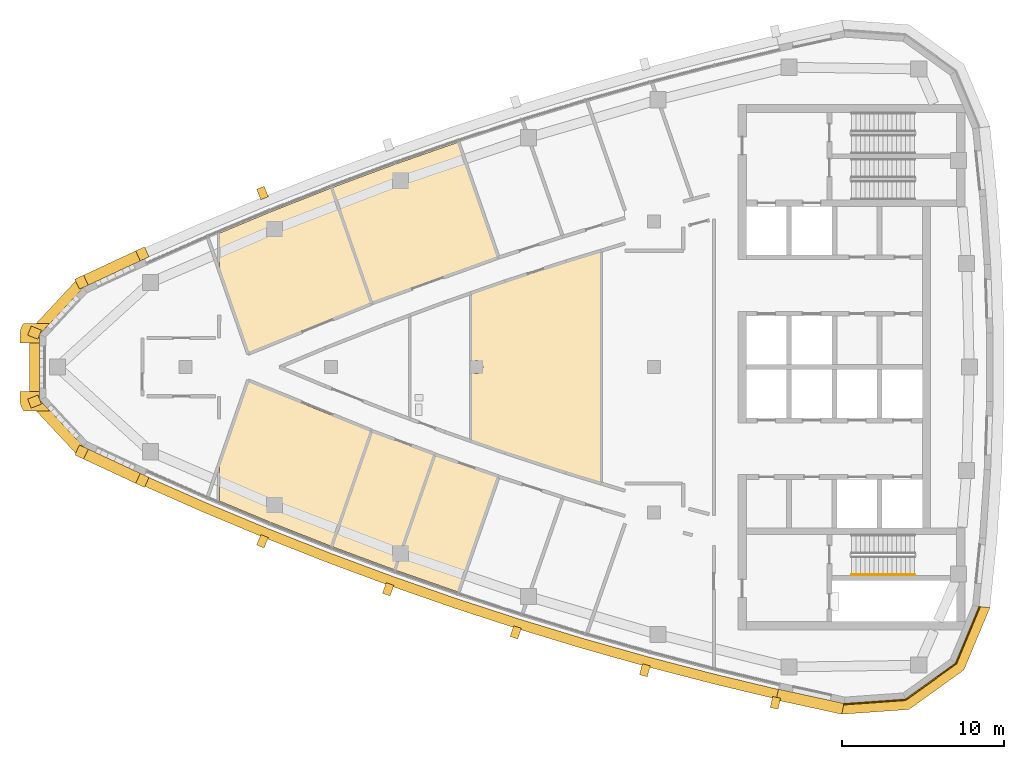
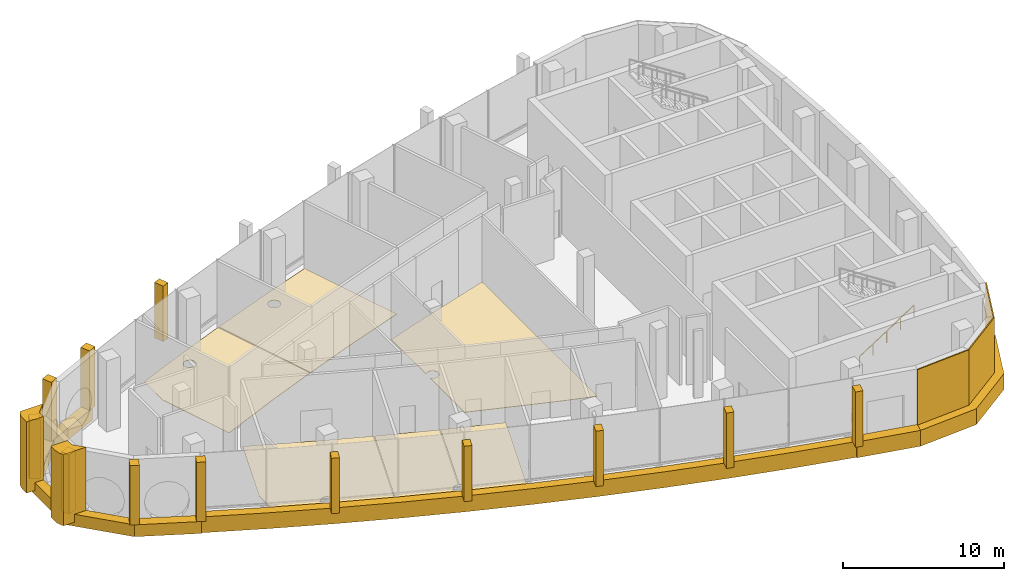
# One storey, part 11 of 15: 27 coverings, 1 railing.
"""IFC4 building model written with IfcOpenShell, lengths in metres."""

import ifcopenshell
import ifcopenshell.guid

model = None  # the IFC model being written
_history = None  # IfcOwnerHistory: only IFC2X3 demands one
_inside = {}  # id of a spatial element -> (the spatial element, [elements in it])
_under = {}  # id of a project, library or spatial element -> (it, [spatial elements below it])
_declared = {}  # id of a project -> (the project, [libraries it declares])
_typed = {}  # id of a type object -> (the type object, [elements of that type])
_made_of = {}  # id of a material, layer set ... -> (it, [elements and type objects made of it])


def new_model(schema):
    """Start an empty IFC model of exactly this schema.

    Asked for "IFC4X3", IfcOpenShell would pick the latest addendum, in which some entities
    have other attributes; the version numbers below select the first issue.
    IFC2X3 requires an IfcOwnerHistory on every rooted entity: one is made here for all.
    """
    global model, _history
    if schema == "IFC4X3":
        model = ifcopenshell.file(schema_version=(4, 3, 0, 0))
    else:
        model = ifcopenshell.file(schema=schema)
    _inside.clear()
    _under.clear()
    _declared.clear()
    _typed.clear()
    _made_of.clear()
    _history = None
    if model.schema == "IFC2X3":
        org = make("IfcOrganization", Name="unknown")
        user = make(
            "IfcPersonAndOrganization",
            ThePerson=make("IfcPerson", FamilyName="unknown"),
            TheOrganization=org,
        )
        app = make(
            "IfcApplication",
            ApplicationDeveloper=org,
            Version="unknown",
            ApplicationFullName="unknown",
            ApplicationIdentifier="unknown",
        )
        _history = make(
            "IfcOwnerHistory",
            OwningUser=user,
            OwningApplication=app,
            ChangeAction="ADDED",
            CreationDate=0,
        )
    return model


def make(cls, **values):
    """One entity of the class cls with the attributes given. An attribute that is None is left unset."""
    return model.create_entity(
        cls, **{name: value for name, value in values.items() if value is not None}
    )


def rooted(cls, **values):
    """An entity with a GlobalId (a new one), such as an element, a storey or a relation."""
    return make(cls, GlobalId=ifcopenshell.guid.new(), OwnerHistory=_history, **values)


def si_unit(unit_type, name, prefix=None):
    """IfcSIUnit, for example si_unit("LENGTHUNIT", "METRE", prefix="MILLI")."""
    return make("IfcSIUnit", UnitType=unit_type, Prefix=prefix, Name=name)


def assignment(units):
    """IfcUnitAssignment: the units of a project."""
    return None if units is None else make("IfcUnitAssignment", Units=units)


def point(xyz):
    """IfcCartesianPoint."""
    return None if xyz is None else make("IfcCartesianPoint", Coordinates=xyz)


def direction(xyz):
    """IfcDirection."""
    return None if xyz is None else make("IfcDirection", DirectionRatios=xyz)


def frame(location, z_axis=None, x_axis=None):
    """IfcAxis2Placement3D, a coordinate frame: its origin and axes. An axis left out is left unset."""
    return make(
        "IfcAxis2Placement3D",
        Location=point(location),
        Axis=direction(z_axis),
        RefDirection=direction(x_axis),
    )


def frame_2d(location, x_axis=None):
    """IfcAxis2Placement2D, a coordinate frame in the plane: its origin and x axis."""
    return make(
        "IfcAxis2Placement2D", Location=point(location), RefDirection=direction(x_axis)
    )


def origin():
    """The frame at (0, 0, 0) with its axes left unset."""
    return frame((0.0, 0.0, 0.0))


def origin_2d():
    """The frame at (0, 0) in the plane with its x axis left unset."""
    return frame_2d((0.0, 0.0))


def place(relative_to, where):
    """IfcLocalPlacement: puts the frame where relative to a parent placement (None: the world)."""
    return make(
        "IfcLocalPlacement", PlacementRelTo=relative_to, RelativePlacement=where
    )


def context(
    kind, dimensions, precision=None, world=None, true_north=None, identifier=None
):
    """IfcGeometricRepresentationContext, for example the 3D "Model" context."""
    return make(
        "IfcGeometricRepresentationContext",
        ContextIdentifier=identifier,
        ContextType=kind,
        CoordinateSpaceDimension=dimensions,
        Precision=precision,
        WorldCoordinateSystem=world,
        TrueNorth=true_north,
    )


def subcontext(parent, identifier, kind, view, scale=None):
    """IfcGeometricRepresentationSubContext, for example "Body" below "Model"."""
    return make(
        "IfcGeometricRepresentationSubContext",
        ContextIdentifier=identifier,
        ContextType=kind,
        ParentContext=parent,
        TargetScale=scale,
        TargetView=view,
    )


def project(units=None, contexts=None):
    """IfcProject with its units and contexts."""
    return rooted(
        "IfcProject",
        Name="project",
        RepresentationContexts=contexts,
        UnitsInContext=assignment(units),
    )


def spatial(cls, under=None, at=None, **own):
    """A site, building, storey or space (cls), placed at a placement, below another one or the project."""
    s = rooted(cls, ObjectPlacement=at, **own)
    if under is not None:
        _under.setdefault(under.id(), (under, []))[1].append(s)
    return s


def polyline(points):
    """IfcPolyline through the points."""
    return make("IfcPolyline", Points=[point(p) for p in points])


def profile(cls, at=None, kind="AREA", **sizes):
    """A parametric profile (cls). Its sizes go by their IFC names, for example OverallWidth=200.0."""
    return make(cls, ProfileType=kind, Position=at, **sizes)


def rectangle(**sizes):
    """IfcRectangleProfileDef."""
    return profile("IfcRectangleProfileDef", **sizes)


def circle(**sizes):
    """IfcCircleProfileDef."""
    return profile("IfcCircleProfileDef", **sizes)


def outline(outer, holes=None, kind="AREA"):
    """IfcArbitraryClosedProfileDef: a profile drawn as a closed curve; with holes, ...WithVoids."""
    if holes is None:
        return make("IfcArbitraryClosedProfileDef", ProfileType=kind, OuterCurve=outer)
    return make(
        "IfcArbitraryProfileDefWithVoids",
        ProfileType=kind,
        OuterCurve=outer,
        InnerCurves=holes,
    )


def extrude(swept, where, along, depth):
    """IfcExtrudedAreaSolid: the profile swept, set in the frame where, extruded along a direction by depth."""
    return make(
        "IfcExtrudedAreaSolid",
        SweptArea=swept,
        Position=where,
        ExtrudedDirection=direction(along),
        Depth=depth,
    )


def shape(context_of_items, identifier, shape_type, items):
    """IfcShapeRepresentation: the items that make up one representation, for example the "Body"."""
    return make(
        "IfcShapeRepresentation",
        ContextOfItems=context_of_items,
        RepresentationIdentifier=identifier,
        RepresentationType=shape_type,
        Items=items,
    )


def material(Name=None, Category=None):
    """IfcMaterial."""
    return make("IfcMaterial", Name=Name, Category=Category)


def layer(
    of_material, thickness, ventilated=None, Name=None, Category=None, Priority=None
):
    """IfcMaterialLayer: one layer of a wall or slab, of a material (None: an air gap)."""
    return make(
        "IfcMaterialLayer",
        Material=of_material,
        LayerThickness=thickness,
        IsVentilated=ventilated,
        Name=Name,
        Category=Category,
        Priority=Priority,
    )


def layer_set(layers, Name=None):
    """IfcMaterialLayerSet."""
    return make("IfcMaterialLayerSet", MaterialLayers=layers, LayerSetName=Name)


def made_of(thing, what):
    """Note that an element or type object is made of a material, layer set ...; save() writes the relation."""
    if what is not None:
        _made_of.setdefault(what.id(), (what, []))[1].append(thing)
    return thing


def type_object(cls, material=None, **own):
    """A type object (cls), such as IfcWallType, which elements share."""
    return made_of(rooted(cls, **own), material)


def element(
    cls,
    number,
    at=None,
    inside=None,
    cuts=None,
    type_object=None,
    material=None,
    context=None,
    identifier="Body",
    shape_type=None,
    held_by="IfcProductDefinitionShape",
    body=None,
    shapes=None,
    **own,
):
    """One element of the class cls, such as IfcWall. Its Tag is "e" and its number.

    at: its placement. inside: the storey or other place that contains it. cuts: it is an
    opening in that element (IfcRelVoidsElement). A single representation is given by context,
    identifier, shape_type and body (its items); several are given by shapes. held_by: the class
    of the entity that holds the representations. save() writes the other relations.
    """
    e = rooted(cls, Tag="e%d" % number, ObjectPlacement=at, **own)
    if body is not None:
        shapes = [shape(context, identifier, shape_type, body)]
    if shapes is not None:
        e.Representation = make(held_by, Representations=shapes)
    if inside is not None:
        _inside.setdefault(inside.id(), (inside, []))[1].append(e)
    if cuts is not None:
        rooted(
            "IfcRelVoidsElement", RelatingBuildingElement=cuts, RelatedOpeningElement=e
        )
    if type_object is not None:
        _typed.setdefault(type_object.id(), (type_object, []))[1].append(e)
    return made_of(e, material)


def aggregate(whole, parts):
    """IfcRelAggregates: a whole, such as a stair, and the parts it consists of."""
    return rooted("IfcRelAggregates", RelatingObject=whole, RelatedObjects=parts)


def save(model, path):
    """Write the relations noted so far, then the file.

    IfcRelAggregates (storeys below a building ...), IfcRelContainedInSpatialStructure (elements
    in a storey), IfcRelDefinesByType, IfcRelAssociatesMaterial and IfcRelDeclares: one each for
    every whole, place, type object, material and project.
    """
    for whole, parts in _under.values():
        aggregate(whole, parts)
    for where, things in _inside.values():
        rooted(
            "IfcRelContainedInSpatialStructure",
            RelatedElements=things,
            RelatingStructure=where,
        )
    for kind, things in _typed.values():
        rooted("IfcRelDefinesByType", RelatedObjects=things, RelatingType=kind)
    for what, things in _made_of.values():
        rooted("IfcRelAssociatesMaterial", RelatedObjects=things, RelatingMaterial=what)
    for by, libraries in _declared.values():
        rooted("IfcRelDeclares", RelatingContext=by, RelatedDefinitions=libraries)
    model.write(path)


model = new_model("IFC4")

# Units and contexts
model_context = context("Model", 3, precision=1e-05, world=origin(), true_north=direction((0.0, 1.0)))
body_context = subcontext(model_context, "Body", "Model", "MODEL_VIEW")
ifc_project = project(units=[si_unit("LENGTHUNIT", "METRE"), si_unit("AREAUNIT", "SQUARE_METRE"), si_unit("VOLUMEUNIT", "CUBIC_METRE"), si_unit("PLANEANGLEUNIT", "RADIAN"), si_unit("MASSUNIT", "GRAM", prefix="KILO")], contexts=[model_context])

# Site, building, storey
site_placement = place(None, origin())
site = spatial("IfcSite", under=ifc_project, at=site_placement, CompositionType="ELEMENT")
building_placement = place(site_placement, origin())
building = spatial("IfcBuilding", under=site, at=building_placement, Name="Ostrand Prow Hotel Tower", CompositionType="ELEMENT")
storey_placement = place(building_placement, frame((0.0, 0.0, 313.199951171875)))
storey = spatial("IfcBuildingStorey", under=building, at=storey_placement, Name="C2", CompositionType="ELEMENT", Elevation=313.199951171875)

# Coverings
ifc_material_1 = material(Name="Bronze anodised aluminium cladding", Category="aluminium")
ifc_layer_1 = layer(ifc_material_1, 0.60009765625)
ifc_layer_set_1 = layer_set([ifc_layer_1], Name="Bronze anodised aluminium cladding")
covering_type_1 = type_object("IfcCoveringType", Name="Bronze prow band 899x600", PredefinedType="CLADDING", material=ifc_layer_set_1)
covering_1_placement = place(storey_placement, frame((0.0, 0.0, -0.300048828125)))
element("IfcCovering", 1, at=covering_1_placement, inside=storey, type_object=covering_type_1, Name="Bronze prow band", PredefinedType="CLADDING", context=body_context, shape_type="SweptSolid", body=[
    extrude(outline(polyline([(13.195068359375, 7.316162109375), (9.424560546875, 5.559814453125), (6.348388671875, 2.2568359375), (6.348388671875, -2.2568359375), (9.424560546875, -5.559814453125), (13.195068359375, -7.316162109375), (13.47607421875, -6.697021484375), (9.718017578125, -4.9462890625), (6.981201171875, -2.0078125), (6.981201171875, 2.0078125), (9.718017578125, 4.9462890625), (13.47607421875, 6.697021484375), (13.195068359375, 7.316162109375)])), origin(), (0.0, 0.0, 1.0), 0.900146484375),
])
ifc_material_2 = material(Name="Bronze anodised aluminium cladding", Category="aluminium")
ifc_layer_2 = layer(ifc_material_2, 0.60009765625)
ifc_layer_set_2 = layer_set([ifc_layer_2], Name="Bronze anodised aluminium cladding")
covering_type_2 = type_object("IfcCoveringType", Name="Bronze spandrel band 1200x600", PredefinedType="CLADDING", material=ifc_layer_set_2)
covering_2_placement = place(storey_placement, frame((0.0, 0.0, -0.300048828125)))
element("IfcCovering", 2, at=covering_2_placement, inside=storey, type_object=covering_type_2, Name="Spandrel band S1", PredefinedType="CLADDING", context=body_context, shape_type="SweptSolid", body=[
    extrude(outline(polyline([(13.220947265625, -7.25927734375), (17.02490234375, -8.938720703125), (20.86181640625, -10.541748046875), (24.72998046875, -12.067138671875), (28.62841796875, -13.514404296875), (32.5546875, -14.88330078125), (36.508056640625, -16.172607421875), (40.486328125, -17.382568359375), (44.48828125, -18.51220703125), (48.51220703125, -19.56103515625), (52.55615234375, -20.52880859375), (52.68994140625, -19.94384765625), (48.65771484375, -18.97900390625), (44.6455078125, -17.93310546875), (40.6552734375, -16.806884765625), (36.6884765625, -15.6005859375), (32.74658203125, -14.314697265625), (28.83154296875, -12.949951171875), (24.944580078125, -11.5068359375), (21.08740234375, -9.98583984375), (17.26171875, -8.3876953125), (13.468994140625, -6.712890625), (13.220947265625, -7.25927734375)])), origin(), (0.0, 0.0, 1.0), 1.2001953125),
])
covering_3_placement = place(storey_placement, frame((0.0, 0.0, -0.300048828125)))
element("IfcCovering", 3, at=covering_3_placement, inside=storey, type_object=covering_type_2, Name="Spandrel band back 1", PredefinedType="CLADDING", context=body_context, shape_type="SweptSolid", body=[
    extrude(outline(polyline([(52.542236328125, -20.58984375), (56.606201171875, -21.476318359375), (56.744384765625, -20.810546875), (52.69384765625, -19.927001953125), (52.542236328125, -20.58984375)])), origin(), (0.0, 0.0, 1.0), 1.2001953125),
])
covering_4_placement = place(storey_placement, frame((0.0, 0.0, -0.300048828125)))
element("IfcCovering", 4, at=covering_4_placement, inside=storey, type_object=covering_type_2, Name="Spandrel band back 2", PredefinedType="CLADDING", context=body_context, shape_type="SweptSolid", body=[
    extrude(outline(polyline([(56.606201171875, -21.476318359375), (60.771728515625, -21.17919921875), (64.162841796875, -18.741455078125), (65.77197265625, -14.887451171875), (65.17626953125, -14.81591796875), (63.693115234375, -18.3681640625), (60.567626953125, -20.614990234375), (56.72802734375, -20.888916015625), (56.606201171875, -21.476318359375)])), origin(), (0.0, 0.0, 1.0), 1.2001953125),
])
ifc_material_3 = material(Name="Limestone cladding", Category="masonry")
ifc_layer_3 = layer(ifc_material_3, 0.5)
ifc_layer_set_3 = layer_set([ifc_layer_3], Name="Limestone cladding")
covering_type_3 = type_object("IfcCoveringType", Name="Precast stone fin 500x600", PredefinedType="CLADDING", material=ifc_layer_set_3)
for number, where, z_axis, x_axis, name in (
    (5, (20.8994140625, -10.44921875, 0.900146484375), (0.0, 0.0, 1.0), (-0.376377046956, -0.926466577122, 0.0), "Stone fin S 3"),
    (6, (28.662109375, -13.42041015625, 0.900146484375), (0.0, 0.0, 1.0), (-0.338633021138, -0.940918528352, 0.0), "Stone fin S 5"),
):
    element("IfcCovering", number, at=place(storey_placement, frame(where, z_axis=z_axis, x_axis=x_axis)), inside=storey, type_object=covering_type_3, Name=name, PredefinedType="CLADDING", context=body_context, shape_type="SweptSolid", body=[
        extrude(rectangle(XDim=0.699951171875, YDim=0.5, at=frame_2d((0.35009765625, 0.0))), origin(), (0.0, 0.0, 1.0), 4.199951171875),
    ])
for number, where, z_axis, x_axis, name in (
    (7, (36.5380859375, -16.077392578125, 0.900146484375), (0.0, 0.0, 1.0), (-0.30059725976, -0.953751166408, 0.0), "Stone fin S 7"),
    (8, (44.514404296875, -18.41552734375, 0.900146484375), (0.0, 0.0, 1.0), (-0.261848568536, -0.965108971648, 0.0), "Stone fin S 9"),
):
    element("IfcCovering", number, at=place(storey_placement, frame(where, z_axis=z_axis, x_axis=x_axis)), inside=storey, type_object=covering_type_3, Name=name, PredefinedType="CLADDING", context=body_context, shape_type="SweptSolid", body=[
        extrude(rectangle(XDim=0.7001953125, YDim=0.5, at=frame_2d((0.35009765625, 0.0))), origin(), (0.0, 0.0, 1.0), 4.199951171875),
    ])
for number, where, z_axis, x_axis, name in (
    (9, (52.578369140625, -20.431396484375, 0.900146484375), (0.0, 0.0, 1.0), (-0.222872153431, -0.974847682064, 0.0), "Stone fin S 11"),
    (10, (20.8994140625, 10.44921875, 0.900146484375), (0.0, 0.0, 1.0), (-0.376377046956, 0.926466577122, 0.0), "Stone fin N 9"),
):
    element("IfcCovering", number, at=place(storey_placement, frame(where, z_axis=z_axis, x_axis=x_axis)), inside=storey, type_object=covering_type_3, Name=name, PredefinedType="CLADDING", context=body_context, shape_type="SweptSolid", body=[
        extrude(rectangle(XDim=0.699951171875, YDim=0.5, at=frame_2d((0.35009765625, 0.0))), origin(), (0.0, 0.0, 1.0), 4.199951171875),
    ])
ifc_material_4 = material(Name="Limestone cladding", Category="masonry")
ifc_layer_4 = layer(ifc_material_4, 0.60009765625)
ifc_layer_set_4 = layer_set([ifc_layer_4], Name="Limestone cladding")
covering_type_4 = type_object("IfcCoveringType", Name="Precast stone prow rib 600x600", PredefinedType="CLADDING", material=ifc_layer_set_4)
covering_5_placement = place(storey_placement, frame((13.47607421875, 6.697021484375, 0.60009765625), z_axis=(0.0, 0.0, 1.0), x_axis=(-0.413288868051, 0.910599973394, 0.0)))
element("IfcCovering", 11, at=covering_5_placement, inside=storey, type_object=covering_type_4, Name="Stone prow rib 1", PredefinedType="CLADDING", context=body_context, shape_type="SweptSolid", body=[
    extrude(rectangle(XDim=0.679931640625, YDim=0.60009765625, at=frame_2d((0.33984375, 0.0))), origin(), (0.0, 0.0, 1.0), 4.5),
])
covering_6_placement = place(storey_placement, frame((9.718017578125, 4.9462890625, 0.60009765625), z_axis=(0.0, 0.0, 1.0), x_axis=(-0.431493603995, 0.902115995707, 0.0)))
element("IfcCovering", 12, at=covering_6_placement, inside=storey, type_object=covering_type_4, Name="Stone prow rib 2", PredefinedType="CLADDING", context=body_context, shape_type="SweptSolid", body=[
    extrude(rectangle(XDim=0.68017578125, YDim=0.60009765625, at=frame_2d((0.340087890625, 0.0))), origin(), (0.0, 0.0, 1.0), 4.5),
])
for number, where, z_axis, x_axis, name in (
    (13, (6.981201171875, 2.0078125, 0.60009765625), (0.0, 0.0, 1.0), (-0.93054188789, 0.366185465142, 0.0), "Stone prow rib 3"),
    (14, (6.981201171875, -2.0078125, 0.60009765625), (0.0, 0.0, 1.0), (-0.93054188789, -0.366185465142, 0.0), "Stone prow rib 4"),
):
    element("IfcCovering", number, at=place(storey_placement, frame(where, z_axis=z_axis, x_axis=x_axis)), inside=storey, type_object=covering_type_4, Name=name, PredefinedType="CLADDING", context=body_context, shape_type="SweptSolid", body=[
        extrude(rectangle(XDim=0.679931640625, YDim=0.60009765625, at=frame_2d((0.33984375, 0.0))), origin(), (0.0, 0.0, 1.0), 4.5),
    ])
covering_7_placement = place(storey_placement, frame((9.718017578125, -4.9462890625, 0.60009765625), z_axis=(0.0, 0.0, 1.0), x_axis=(-0.431493603995, -0.902115995707, 0.0)))
element("IfcCovering", 15, at=covering_7_placement, inside=storey, type_object=covering_type_4, Name="Stone prow rib 5", PredefinedType="CLADDING", context=body_context, shape_type="SweptSolid", body=[
    extrude(rectangle(XDim=0.68017578125, YDim=0.60009765625, at=frame_2d((0.340087890625, 0.0))), origin(), (0.0, 0.0, 1.0), 4.5),
])
covering_8_placement = place(storey_placement, frame((13.47607421875, -6.697021484375, 0.60009765625), z_axis=(0.0, 0.0, 1.0), x_axis=(-0.413288868051, -0.910599973394, 0.0)))
element("IfcCovering", 16, at=covering_8_placement, inside=storey, type_object=covering_type_4, Name="Stone prow rib 6", PredefinedType="CLADDING", context=body_context, shape_type="SweptSolid", body=[
    extrude(rectangle(XDim=0.679931640625, YDim=0.60009765625, at=frame_2d((0.33984375, 0.0))), origin(), (0.0, 0.0, 1.0), 4.5),
])
ifc_material_5 = material(Name="Limestone cladding", Category="masonry")
ifc_layer_5 = layer(ifc_material_5, 3.0)
ifc_layer_set_5 = layer_set([ifc_layer_5], Name="Limestone cladding")
covering_type_5 = type_object("IfcCoveringType", Name="Prow nose pier limestone", PredefinedType="CLADDING", material=ifc_layer_set_5)
covering_9_placement = place(storey_placement, origin())
element("IfcCovering", 17, at=covering_9_placement, inside=storey, type_object=covering_type_5, Name="Prow spine fin N C2", PredefinedType="CLADDING", context=body_context, shape_type="SweptSolid", body=[
    extrude(outline(polyline([(5.764892578125, 2.01416015625), (5.764892578125, 1.5), (6.96484375, 1.5), (6.96484375, 2.01416015625), (7.603515625, 2.699951171875), (5.981689453125, 2.699951171875), (5.94970703125, 2.654052734375), (5.894287109375, 2.55615234375), (5.84814453125, 2.45361328125), (5.81201171875, 2.34716796875), (5.785888671875, 2.23779296875), (5.77001953125, 2.12646484375), (5.764892578125, 2.01416015625)])), origin(), (0.0, 0.0, 1.0), 5.400146484375),
])
covering_10_placement = place(storey_placement, origin())
element("IfcCovering", 18, at=covering_10_placement, inside=storey, type_object=covering_type_5, Name="Prow spine fin S C2", PredefinedType="CLADDING", context=body_context, shape_type="SweptSolid", body=[
    extrude(outline(polyline([(5.94970703125, -2.654052734375), (5.981689453125, -2.699951171875), (7.603515625, -2.699951171875), (6.96484375, -2.01416015625), (6.96484375, -1.5), (5.764892578125, -1.5), (5.764892578125, -2.01416015625), (5.77001953125, -2.12646484375), (5.785888671875, -2.23779296875), (5.81201171875, -2.34716796875), (5.84814453125, -2.45361328125), (5.894287109375, -2.55615234375), (5.94970703125, -2.654052734375)])), origin(), (0.0, 0.0, 1.0), 5.400146484375),
])

# Railing
ifc_material_6 = material(Name="Stainless steel", Category="steel")
railing_type = type_object("IfcRailingType", Name="Stair handrail 900", PredefinedType="HANDRAIL", material=ifc_material_6)
railing_placement = place(storey_placement, frame((57.199951171875, -12.85009765625, 0.179931640625)))
element("IfcRailing", 19, at=railing_placement, inside=storey, type_object=railing_type, Name="C2 ST2C stair handrail 1", PredefinedType="HANDRAIL", context=body_context, shape_type="SweptSolid", body=[
    extrude(circle(Radius=0.02392578125, at=origin_2d()), frame((0.0, 0.0, 0.8759765625), z_axis=(0.841186985886, 0.0, 0.540744352514), x_axis=(0.0, 1.0, 0.0)), (0.0, 0.0, 1.0), 4.660400390625),
    extrude(circle(Radius=0.02099609375, at=origin_2d()), origin(), (0.0, 0.0, 1.0), 0.851806640625),
    extrude(circle(Radius=0.02099609375, at=origin_2d()), frame((0.97998046875, 0.0, 0.6298828125)), (0.0, 0.0, 1.0), 0.851806640625),
    extrude(circle(Radius=0.02099609375, at=origin_2d()), frame((1.9599609375, 0.0, 1.260009765625)), (0.0, 0.0, 1.0), 0.851806640625),
    extrude(circle(Radius=0.02099609375, at=origin_2d()), frame((2.940185546875, 0.0, 1.89013671875)), (0.0, 0.0, 1.0), 0.851806640625),
    extrude(circle(Radius=0.02099609375, at=origin_2d()), frame((3.920166015625, 0.0, 2.52001953125)), (0.0, 0.0, 1.0), 0.851806640625),
])

# Coverings
ifc_material_7 = material(Name="Polished limestone", Category="masonry")
ifc_layer_6 = layer(ifc_material_7, 0.030029296875)
ifc_layer_set_6 = layer_set([ifc_layer_6], Name="Polished limestone")
covering_type_6 = type_object("IfcCoveringType", Name="Stone floor finish 30 mm", PredefinedType="FLOORING", material=ifc_layer_set_6)
covering_11_placement = place(storey_placement, origin())
element("IfcCovering", 20, at=covering_11_placement, inside=storey, type_object=covering_type_6, Name="Floor finish Restaurant", PredefinedType="FLOORING", context=body_context, shape_type="SweptSolid", body=[
    extrude(outline(polyline([(18.096435546875, 8.280517578125), (18.0966796875, 6.01220703125), (19.8935546875, 0.831787109375), (24.087646484375, 2.59619140625), (27.503662109375, 3.943359375), (25.025390625, 11.087158203125), (21.245361328125, 9.5966796875), (18.096435546875, 8.280517578125)]), holes=[polyline([(21.866943359375, 8.351318359375), (21.8466796875, 8.31787109375), (21.8232421875, 8.2861328125), (21.796875, 8.257080078125), (21.767822265625, 8.230712890625), (21.736328125, 8.20751953125), (21.70263671875, 8.187255859375), (21.667236328125, 8.17041015625), (21.630126953125, 8.1572265625), (21.592041015625, 8.147705078125), (21.55322265625, 8.141845703125), (21.51416015625, 8.139892578125), (21.474853515625, 8.141845703125), (21.43603515625, 8.147705078125), (21.39794921875, 8.1572265625), (21.361083984375, 8.17041015625), (21.325439453125, 8.187255859375), (21.2919921875, 8.20751953125), (21.26025390625, 8.230712890625), (21.231201171875, 8.257080078125), (21.204833984375, 8.2861328125), (21.181396484375, 8.31787109375), (21.161376953125, 8.351318359375), (21.14453125, 8.386962890625), (21.13134765625, 8.423828125), (21.121826171875, 8.4619140625), (21.115966796875, 8.500732421875), (21.114013671875, 8.5400390625), (21.115966796875, 8.5791015625), (21.121826171875, 8.617919921875), (21.13134765625, 8.656005859375), (21.14453125, 8.693115234375), (21.161376953125, 8.728515625), (21.181396484375, 8.76220703125), (21.204833984375, 8.793701171875), (21.231201171875, 8.82275390625), (21.26025390625, 8.84912109375), (21.2919921875, 8.87255859375), (21.325439453125, 8.892822265625), (21.361083984375, 8.90966796875), (21.39794921875, 8.9228515625), (21.43603515625, 8.932373046875), (21.474853515625, 8.93798828125), (21.51416015625, 8.93994140625), (21.55322265625, 8.93798828125), (21.592041015625, 8.932373046875), (21.630126953125, 8.9228515625), (21.667236328125, 8.90966796875), (21.70263671875, 8.892822265625), (21.736328125, 8.87255859375), (21.767822265625, 8.84912109375), (21.796875, 8.82275390625), (21.8232421875, 8.793701171875), (21.8466796875, 8.76220703125), (21.866943359375, 8.728515625), (21.8837890625, 8.693115234375), (21.89697265625, 8.656005859375), (21.906494140625, 8.617919921875), (21.912109375, 8.5791015625), (21.9140625, 8.5400390625), (21.912109375, 8.500732421875), (21.906494140625, 8.4619140625), (21.89697265625, 8.423828125), (21.8837890625, 8.386962890625), (21.866943359375, 8.351318359375)])]), origin(), (0.0, 0.0, 1.0), 0.030029296875),
])
covering_12_placement = place(storey_placement, origin())
element("IfcCovering", 21, at=covering_12_placement, inside=storey, type_object=covering_type_6, Name="Floor finish Restaurant", PredefinedType="FLOORING", context=body_context, shape_type="SweptSolid", body=[
    extrude(outline(polyline([(31.5322265625, 5.44580078125), (35.355224609375, 6.776611328125), (32.87890625, 13.915771484375), (28.9736328125, 12.5546875), (25.067626953125, 11.103271484375), (27.545654296875, 3.95947265625), (31.5322265625, 5.44580078125)]), holes=[polyline([(29.662841796875, 11.33935546875), (29.642578125, 11.305908203125), (29.619140625, 11.274169921875), (29.5927734375, 11.2451171875), (29.563720703125, 11.21875), (29.5322265625, 11.1953125), (29.49853515625, 11.17529296875), (29.463134765625, 11.158447265625), (29.426025390625, 11.145263671875), (29.387939453125, 11.1357421875), (29.34912109375, 11.1298828125), (29.31005859375, 11.1279296875), (29.270751953125, 11.1298828125), (29.23193359375, 11.1357421875), (29.19384765625, 11.145263671875), (29.156982421875, 11.158447265625), (29.121337890625, 11.17529296875), (29.087890625, 11.1953125), (29.05615234375, 11.21875), (29.027099609375, 11.2451171875), (29.000732421875, 11.274169921875), (28.977294921875, 11.305908203125), (28.957275390625, 11.33935546875), (28.9404296875, 11.375), (28.92724609375, 11.411865234375), (28.917724609375, 11.449951171875), (28.911865234375, 11.48876953125), (28.909912109375, 11.528076171875), (28.911865234375, 11.567138671875), (28.917724609375, 11.60595703125), (28.92724609375, 11.64404296875), (28.9404296875, 11.68115234375), (28.957275390625, 11.716552734375), (28.977294921875, 11.750244140625), (29.000732421875, 11.78173828125), (29.027099609375, 11.810791015625), (29.05615234375, 11.837158203125), (29.087890625, 11.860595703125), (29.121337890625, 11.880859375), (29.156982421875, 11.897705078125), (29.19384765625, 11.910888671875), (29.23193359375, 11.92041015625), (29.270751953125, 11.926025390625), (29.31005859375, 11.927978515625), (29.34912109375, 11.926025390625), (29.387939453125, 11.92041015625), (29.426025390625, 11.910888671875), (29.463134765625, 11.897705078125), (29.49853515625, 11.880859375), (29.5322265625, 11.860595703125), (29.563720703125, 11.837158203125), (29.5927734375, 11.810791015625), (29.619140625, 11.78173828125), (29.642578125, 11.750244140625), (29.662841796875, 11.716552734375), (29.6796875, 11.68115234375), (29.69287109375, 11.64404296875), (29.702392578125, 11.60595703125), (29.7080078125, 11.567138671875), (29.7099609375, 11.528076171875), (29.7080078125, 11.48876953125), (29.702392578125, 11.449951171875), (29.69287109375, 11.411865234375), (29.6796875, 11.375), (29.662841796875, 11.33935546875)])]), origin(), (0.0, 0.0, 1.0), 0.030029296875),
])
covering_13_placement = place(storey_placement, origin())
element("IfcCovering", 22, at=covering_13_placement, inside=storey, type_object=covering_type_6, Name="Floor finish Restaurant", PredefinedType="FLOORING", context=body_context, shape_type="SweptSolid", body=[
    extrude(outline(polyline([(21.245361328125, -9.5966796875), (25.025390625, -11.087158203125), (27.503662109375, -3.943359375), (24.087646484375, -2.59619140625), (19.8935546875, -0.831787109375), (18.0966796875, -6.01220703125), (18.096435546875, -8.280517578125), (21.245361328125, -9.5966796875)]), holes=[polyline([(21.866943359375, -8.728515625), (21.8466796875, -8.76220703125), (21.8232421875, -8.793701171875), (21.796875, -8.82275390625), (21.767822265625, -8.84912109375), (21.736328125, -8.87255859375), (21.70263671875, -8.892822265625), (21.667236328125, -8.90966796875), (21.630126953125, -8.9228515625), (21.592041015625, -8.932373046875), (21.55322265625, -8.93798828125), (21.51416015625, -8.93994140625), (21.474853515625, -8.93798828125), (21.43603515625, -8.932373046875), (21.39794921875, -8.9228515625), (21.361083984375, -8.90966796875), (21.325439453125, -8.892822265625), (21.2919921875, -8.87255859375), (21.26025390625, -8.84912109375), (21.231201171875, -8.82275390625), (21.204833984375, -8.793701171875), (21.181396484375, -8.76220703125), (21.161376953125, -8.728515625), (21.14453125, -8.693115234375), (21.13134765625, -8.656005859375), (21.121826171875, -8.617919921875), (21.115966796875, -8.5791015625), (21.114013671875, -8.5400390625), (21.115966796875, -8.500732421875), (21.121826171875, -8.4619140625), (21.13134765625, -8.423828125), (21.14453125, -8.386962890625), (21.161376953125, -8.351318359375), (21.181396484375, -8.31787109375), (21.204833984375, -8.2861328125), (21.231201171875, -8.257080078125), (21.26025390625, -8.230712890625), (21.2919921875, -8.20751953125), (21.325439453125, -8.187255859375), (21.361083984375, -8.17041015625), (21.39794921875, -8.1572265625), (21.43603515625, -8.147705078125), (21.474853515625, -8.141845703125), (21.51416015625, -8.139892578125), (21.55322265625, -8.141845703125), (21.592041015625, -8.147705078125), (21.630126953125, -8.1572265625), (21.667236328125, -8.17041015625), (21.70263671875, -8.187255859375), (21.736328125, -8.20751953125), (21.767822265625, -8.230712890625), (21.796875, -8.257080078125), (21.8232421875, -8.2861328125), (21.8466796875, -8.31787109375), (21.866943359375, -8.351318359375), (21.8837890625, -8.386962890625), (21.89697265625, -8.423828125), (21.906494140625, -8.4619140625), (21.912109375, -8.500732421875), (21.9140625, -8.5400390625), (21.912109375, -8.5791015625), (21.906494140625, -8.617919921875), (21.89697265625, -8.656005859375), (21.8837890625, -8.693115234375), (21.866943359375, -8.728515625)])]), origin(), (0.0, 0.0, 1.0), 0.030029296875),
])
covering_14_placement = place(storey_placement, origin())
element("IfcCovering", 23, at=covering_14_placement, inside=storey, type_object=covering_type_6, Name="Floor finish Private Dining Room", PredefinedType="FLOORING", context=body_context, shape_type="SweptSolid", body=[
    extrude(outline(polyline([(25.067626953125, -11.103271484375), (28.937255859375, -12.541259765625), (29.16015625, -11.898681640625), (29.156982421875, -11.897705078125), (29.121337890625, -11.880859375), (29.087890625, -11.860595703125), (29.05615234375, -11.837158203125), (29.027099609375, -11.810791015625), (29.000732421875, -11.78173828125), (28.977294921875, -11.750244140625), (28.957275390625, -11.716552734375), (28.9404296875, -11.68115234375), (28.92724609375, -11.64404296875), (28.917724609375, -11.60595703125), (28.911865234375, -11.567138671875), (28.909912109375, -11.528076171875), (28.911865234375, -11.48876953125), (28.917724609375, -11.449951171875), (28.92724609375, -11.411865234375), (28.9404296875, -11.375), (28.957275390625, -11.33935546875), (28.977294921875, -11.305908203125), (29.000732421875, -11.274169921875), (29.027099609375, -11.2451171875), (29.05615234375, -11.21875), (29.087890625, -11.1953125), (29.121337890625, -11.17529296875), (29.156982421875, -11.158447265625), (29.19384765625, -11.145263671875), (29.23193359375, -11.1357421875), (29.270751953125, -11.1298828125), (29.31005859375, -11.1279296875), (29.34912109375, -11.1298828125), (29.387939453125, -11.1357421875), (29.421875, -11.144287109375), (31.413818359375, -5.40185546875), (27.545654296875, -3.95947265625), (25.067626953125, -11.103271484375)])), origin(), (0.0, 0.0, 1.0), 0.030029296875),
])
covering_15_placement = place(storey_placement, origin())
element("IfcCovering", 24, at=covering_15_placement, inside=storey, type_object=covering_type_6, Name="Floor finish Private Dining Room", PredefinedType="FLOORING", context=body_context, shape_type="SweptSolid", body=[
    extrude(outline(polyline([(28.9794921875, -12.556396484375), (32.87890625, -13.915771484375), (35.355224609375, -6.776611328125), (31.4560546875, -5.417236328125), (29.46435546875, -11.1591796875), (29.49853515625, -11.17529296875), (29.5322265625, -11.1953125), (29.563720703125, -11.21875), (29.5927734375, -11.2451171875), (29.619140625, -11.274169921875), (29.642578125, -11.305908203125), (29.662841796875, -11.33935546875), (29.6796875, -11.375), (29.69287109375, -11.411865234375), (29.702392578125, -11.449951171875), (29.7080078125, -11.48876953125), (29.7099609375, -11.528076171875), (29.7080078125, -11.567138671875), (29.702392578125, -11.60595703125), (29.69287109375, -11.64404296875), (29.6796875, -11.68115234375), (29.662841796875, -11.716552734375), (29.642578125, -11.750244140625), (29.619140625, -11.78173828125), (29.5927734375, -11.810791015625), (29.563720703125, -11.837158203125), (29.5322265625, -11.860595703125), (29.49853515625, -11.880859375), (29.463134765625, -11.897705078125), (29.426025390625, -11.910888671875), (29.387939453125, -11.92041015625), (29.34912109375, -11.926025390625), (29.31005859375, -11.927978515625), (29.270751953125, -11.926025390625), (29.23193359375, -11.92041015625), (29.202880859375, -11.9130859375), (28.9794921875, -12.556396484375)])), origin(), (0.0, 0.0, 1.0), 0.030029296875),
])
covering_16_placement = place(storey_placement, origin())
element("IfcCovering", 25, at=covering_16_placement, inside=storey, type_object=covering_type_6, Name="Floor finish Private Dining Room", PredefinedType="FLOORING", context=body_context, shape_type="SweptSolid", body=[
    extrude(outline(polyline([(41.693603515625, 7.16650390625), (35.791259765625, 5.2890625), (33.677001953125, 4.552001953125), (33.677001953125, 0.235107421875), (33.69091796875, 0.25390625), (33.71728515625, 0.28271484375), (33.74609375, 0.30908203125), (33.77783203125, 0.33251953125), (33.811279296875, 0.352783203125), (33.846923828125, 0.36962890625), (33.8837890625, 0.3828125), (33.922119140625, 0.392333984375), (33.960693359375, 0.398193359375), (34.0, 0.39990234375), (34.039306640625, 0.398193359375), (34.077880859375, 0.392333984375), (34.1162109375, 0.3828125), (34.153076171875, 0.36962890625), (34.188720703125, 0.352783203125), (34.22216796875, 0.33251953125), (34.25390625, 0.30908203125), (34.28271484375, 0.28271484375), (34.30908203125, 0.25390625), (34.33251953125, 0.22216796875), (34.352783203125, 0.188720703125), (34.36962890625, 0.153076171875), (34.3828125, 0.1162109375), (34.392333984375, 0.077880859375), (34.398193359375, 0.039306640625), (34.39990234375, 0.0), (34.398193359375, -0.039306640625), (34.392333984375, -0.077880859375), (34.3828125, -0.1162109375), (34.36962890625, -0.153076171875), (34.352783203125, -0.188720703125), (34.33251953125, -0.22216796875), (34.30908203125, -0.25390625), (34.28271484375, -0.28271484375), (34.25390625, -0.30908203125), (34.22216796875, -0.33251953125), (34.188720703125, -0.352783203125), (34.153076171875, -0.36962890625), (34.1162109375, -0.3828125), (34.077880859375, -0.392333984375), (34.039306640625, -0.398193359375), (34.0, -0.39990234375), (33.960693359375, -0.398193359375), (33.922119140625, -0.392333984375), (33.8837890625, -0.3828125), (33.846923828125, -0.36962890625), (33.811279296875, -0.352783203125), (33.77783203125, -0.33251953125), (33.74609375, -0.30908203125), (33.71728515625, -0.28271484375), (33.69091796875, -0.25390625), (33.677001953125, -0.235107421875), (33.677001953125, -4.5517578125), (39.55126953125, -6.515380859375), (41.693603515625, -7.1669921875), (41.693603515625, 7.16650390625)])), origin(), (0.0, 0.0, 1.0), 0.030029296875),
])
ifc_material_8 = material(Name="Limestone cladding", Category="masonry")
ifc_layer_7 = layer(ifc_material_8, 0.080078125)
ifc_layer_set_7 = layer_set([ifc_layer_7], Name="Limestone cladding")
covering_type_7 = type_object("IfcCoveringType", Name="Warm limestone cladding 80 mm", PredefinedType="CLADDING", material=ifc_layer_set_7)
covering_17_placement = place(storey_placement, frame((56.736083984375, -20.849853515625, 0.0), z_axis=(0.0, 0.0, 1.0), x_axis=(0.997463230726, 0.071183589045, 0.0)))
element("IfcCovering", 26, at=covering_17_placement, inside=storey, type_object=covering_type_7, Name="Limestone cladding back 2", PredefinedType="CLADDING", context=body_context, shape_type="SweptSolid", body=[
    extrude(outline(polyline([(-0.005859375, -0.0400390625), (3.8388671875, -0.0400390625), (3.81640625, 0.0400390625), (0.005859375, 0.0400390625), (-0.005859375, -0.0400390625)])), origin(), (0.0, 0.0, 1.0), 5.10009765625),
])
covering_18_placement = place(storey_placement, frame((60.553955078125, -20.577392578125, 0.0), z_axis=(0.0, 0.0, 1.0), x_axis=(0.811975694159, 0.583691247231, 0.0)))
element("IfcCovering", 27, at=covering_18_placement, inside=storey, type_object=covering_type_7, Name="Limestone cladding back 3", PredefinedType="CLADDING", context=body_context, shape_type="SweptSolid", body=[
    extrude(outline(polyline([(-0.01123046875, -0.0400390625), (3.8388671875, -0.0400390625), (3.81640625, 0.0400390625), (0.01123046875, 0.0400390625), (-0.01123046875, -0.0400390625)])), origin(), (0.0, 0.0, 1.0), 5.10009765625),
])
covering_19_placement = place(storey_placement, frame((63.661865234375, -18.34326171875, 0.0), z_axis=(0.0, 0.0, 1.0), x_axis=(0.385272026688, 0.922803048029, 0.0)))
element("IfcCovering", 28, at=covering_19_placement, inside=storey, type_object=covering_type_7, Name="Limestone cladding back 4", PredefinedType="CLADDING", context=body_context, shape_type="SweptSolid", body=[
    extrude(outline(polyline([(-0.01123046875, -0.0400390625), (3.833251953125, -0.0400390625), (3.821533203125, 0.0400390625), (0.01123046875, 0.0400390625), (-0.01123046875, -0.0400390625)])), origin(), (0.0, 0.0, 1.0), 5.10009765625),
])

save(model, "model.ifc")
